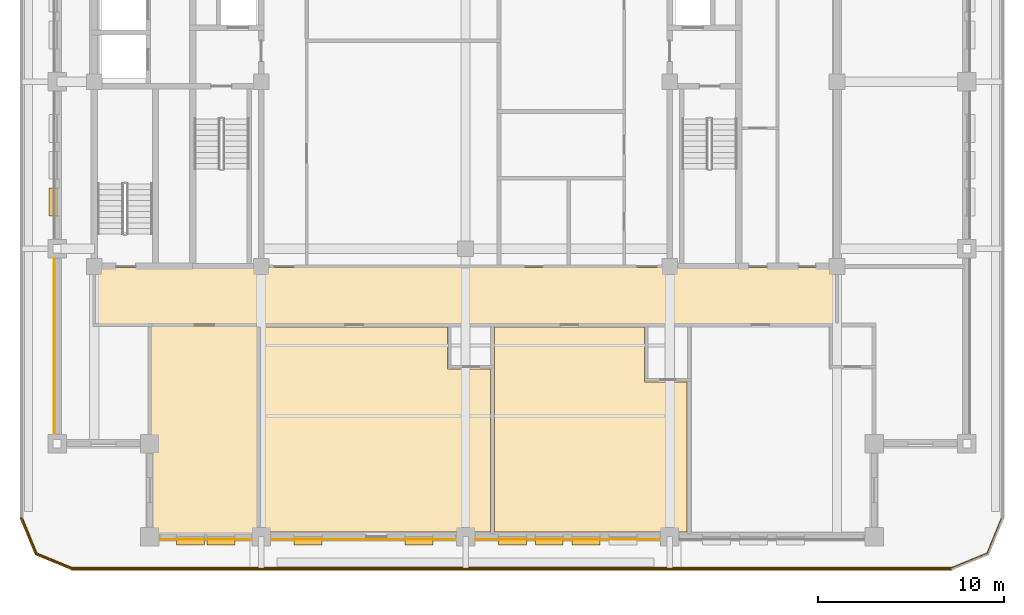
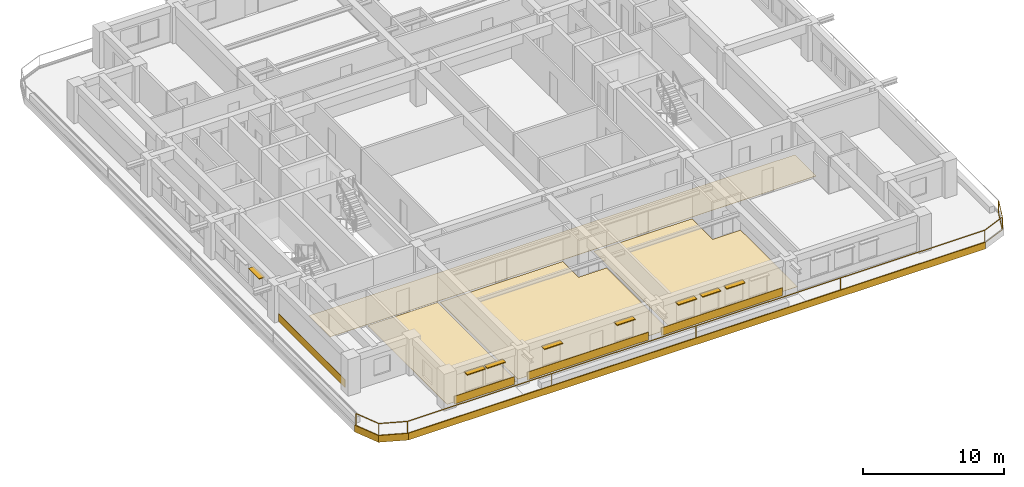
# One storey, part 8 of 14: 11 coverings, 8 shading devices, 1 railing.
"""IFC4 building model written with IfcOpenShell, lengths in metres."""

import ifcopenshell
import ifcopenshell.guid

model = None  # the IFC model being written
_history = None  # IfcOwnerHistory: only IFC2X3 demands one
_inside = {}  # id of a spatial element -> (the spatial element, [elements in it])
_under = {}  # id of a project, library or spatial element -> (it, [spatial elements below it])
_declared = {}  # id of a project -> (the project, [libraries it declares])
_typed = {}  # id of a type object -> (the type object, [elements of that type])
_made_of = {}  # id of a material, layer set ... -> (it, [elements and type objects made of it])


def new_model(schema):
    """Start an empty IFC model of exactly this schema.

    Asked for "IFC4X3", IfcOpenShell would pick the latest addendum, in which some entities
    have other attributes; the version numbers below select the first issue.
    IFC2X3 requires an IfcOwnerHistory on every rooted entity: one is made here for all.
    """
    global model, _history
    if schema == "IFC4X3":
        model = ifcopenshell.file(schema_version=(4, 3, 0, 0))
    else:
        model = ifcopenshell.file(schema=schema)
    _inside.clear()
    _under.clear()
    _declared.clear()
    _typed.clear()
    _made_of.clear()
    _history = None
    if model.schema == "IFC2X3":
        org = make("IfcOrganization", Name="unknown")
        user = make(
            "IfcPersonAndOrganization",
            ThePerson=make("IfcPerson", FamilyName="unknown"),
            TheOrganization=org,
        )
        app = make(
            "IfcApplication",
            ApplicationDeveloper=org,
            Version="unknown",
            ApplicationFullName="unknown",
            ApplicationIdentifier="unknown",
        )
        _history = make(
            "IfcOwnerHistory",
            OwningUser=user,
            OwningApplication=app,
            ChangeAction="ADDED",
            CreationDate=0,
        )
    return model


def make(cls, **values):
    """One entity of the class cls with the attributes given. An attribute that is None is left unset."""
    return model.create_entity(
        cls, **{name: value for name, value in values.items() if value is not None}
    )


def rooted(cls, **values):
    """An entity with a GlobalId (a new one), such as an element, a storey or a relation."""
    return make(cls, GlobalId=ifcopenshell.guid.new(), OwnerHistory=_history, **values)


def si_unit(unit_type, name, prefix=None):
    """IfcSIUnit, for example si_unit("LENGTHUNIT", "METRE", prefix="MILLI")."""
    return make("IfcSIUnit", UnitType=unit_type, Prefix=prefix, Name=name)


def assignment(units):
    """IfcUnitAssignment: the units of a project."""
    return None if units is None else make("IfcUnitAssignment", Units=units)


def point(xyz):
    """IfcCartesianPoint."""
    return None if xyz is None else make("IfcCartesianPoint", Coordinates=xyz)


def direction(xyz):
    """IfcDirection."""
    return None if xyz is None else make("IfcDirection", DirectionRatios=xyz)


def frame(location, z_axis=None, x_axis=None):
    """IfcAxis2Placement3D, a coordinate frame: its origin and axes. An axis left out is left unset."""
    return make(
        "IfcAxis2Placement3D",
        Location=point(location),
        Axis=direction(z_axis),
        RefDirection=direction(x_axis),
    )


def frame_2d(location, x_axis=None):
    """IfcAxis2Placement2D, a coordinate frame in the plane: its origin and x axis."""
    return make(
        "IfcAxis2Placement2D", Location=point(location), RefDirection=direction(x_axis)
    )


def origin():
    """The frame at (0, 0, 0) with its axes left unset."""
    return frame((0.0, 0.0, 0.0))


def origin_2d():
    """The frame at (0, 0) in the plane with its x axis left unset."""
    return frame_2d((0.0, 0.0))


def place(relative_to, where):
    """IfcLocalPlacement: puts the frame where relative to a parent placement (None: the world)."""
    return make(
        "IfcLocalPlacement", PlacementRelTo=relative_to, RelativePlacement=where
    )


def context(
    kind, dimensions, precision=None, world=None, true_north=None, identifier=None
):
    """IfcGeometricRepresentationContext, for example the 3D "Model" context."""
    return make(
        "IfcGeometricRepresentationContext",
        ContextIdentifier=identifier,
        ContextType=kind,
        CoordinateSpaceDimension=dimensions,
        Precision=precision,
        WorldCoordinateSystem=world,
        TrueNorth=true_north,
    )


def subcontext(parent, identifier, kind, view, scale=None):
    """IfcGeometricRepresentationSubContext, for example "Body" below "Model"."""
    return make(
        "IfcGeometricRepresentationSubContext",
        ContextIdentifier=identifier,
        ContextType=kind,
        ParentContext=parent,
        TargetScale=scale,
        TargetView=view,
    )


def project(units=None, contexts=None):
    """IfcProject with its units and contexts."""
    return rooted(
        "IfcProject",
        Name="project",
        RepresentationContexts=contexts,
        UnitsInContext=assignment(units),
    )


def spatial(cls, under=None, at=None, **own):
    """A site, building, storey or space (cls), placed at a placement, below another one or the project."""
    s = rooted(cls, ObjectPlacement=at, **own)
    if under is not None:
        _under.setdefault(under.id(), (under, []))[1].append(s)
    return s


def polyline(points):
    """IfcPolyline through the points."""
    return make("IfcPolyline", Points=[point(p) for p in points])


def profile(cls, at=None, kind="AREA", **sizes):
    """A parametric profile (cls). Its sizes go by their IFC names, for example OverallWidth=200.0."""
    return make(cls, ProfileType=kind, Position=at, **sizes)


def rectangle(**sizes):
    """IfcRectangleProfileDef."""
    return profile("IfcRectangleProfileDef", **sizes)


def outline(outer, holes=None, kind="AREA"):
    """IfcArbitraryClosedProfileDef: a profile drawn as a closed curve; with holes, ...WithVoids."""
    if holes is None:
        return make("IfcArbitraryClosedProfileDef", ProfileType=kind, OuterCurve=outer)
    return make(
        "IfcArbitraryProfileDefWithVoids",
        ProfileType=kind,
        OuterCurve=outer,
        InnerCurves=holes,
    )


def extrude(swept, where, along, depth):
    """IfcExtrudedAreaSolid: the profile swept, set in the frame where, extruded along a direction by depth."""
    return make(
        "IfcExtrudedAreaSolid",
        SweptArea=swept,
        Position=where,
        ExtrudedDirection=direction(along),
        Depth=depth,
    )


def shape(context_of_items, identifier, shape_type, items):
    """IfcShapeRepresentation: the items that make up one representation, for example the "Body"."""
    return make(
        "IfcShapeRepresentation",
        ContextOfItems=context_of_items,
        RepresentationIdentifier=identifier,
        RepresentationType=shape_type,
        Items=items,
    )


def material(Name=None, Category=None):
    """IfcMaterial."""
    return make("IfcMaterial", Name=Name, Category=Category)


def layer(
    of_material, thickness, ventilated=None, Name=None, Category=None, Priority=None
):
    """IfcMaterialLayer: one layer of a wall or slab, of a material (None: an air gap)."""
    return make(
        "IfcMaterialLayer",
        Material=of_material,
        LayerThickness=thickness,
        IsVentilated=ventilated,
        Name=Name,
        Category=Category,
        Priority=Priority,
    )


def layer_set(layers, Name=None):
    """IfcMaterialLayerSet."""
    return make("IfcMaterialLayerSet", MaterialLayers=layers, LayerSetName=Name)


def made_of(thing, what):
    """Note that an element or type object is made of a material, layer set ...; save() writes the relation."""
    if what is not None:
        _made_of.setdefault(what.id(), (what, []))[1].append(thing)
    return thing


def type_object(cls, material=None, **own):
    """A type object (cls), such as IfcWallType, which elements share."""
    return made_of(rooted(cls, **own), material)


def element(
    cls,
    number,
    at=None,
    inside=None,
    cuts=None,
    type_object=None,
    material=None,
    context=None,
    identifier="Body",
    shape_type=None,
    held_by="IfcProductDefinitionShape",
    body=None,
    shapes=None,
    **own,
):
    """One element of the class cls, such as IfcWall. Its Tag is "e" and its number.

    at: its placement. inside: the storey or other place that contains it. cuts: it is an
    opening in that element (IfcRelVoidsElement). A single representation is given by context,
    identifier, shape_type and body (its items); several are given by shapes. held_by: the class
    of the entity that holds the representations. save() writes the other relations.
    """
    e = rooted(cls, Tag="e%d" % number, ObjectPlacement=at, **own)
    if body is not None:
        shapes = [shape(context, identifier, shape_type, body)]
    if shapes is not None:
        e.Representation = make(held_by, Representations=shapes)
    if inside is not None:
        _inside.setdefault(inside.id(), (inside, []))[1].append(e)
    if cuts is not None:
        rooted(
            "IfcRelVoidsElement", RelatingBuildingElement=cuts, RelatedOpeningElement=e
        )
    if type_object is not None:
        _typed.setdefault(type_object.id(), (type_object, []))[1].append(e)
    return made_of(e, material)


def aggregate(whole, parts):
    """IfcRelAggregates: a whole, such as a stair, and the parts it consists of."""
    return rooted("IfcRelAggregates", RelatingObject=whole, RelatedObjects=parts)


def save(model, path):
    """Write the relations noted so far, then the file.

    IfcRelAggregates (storeys below a building ...), IfcRelContainedInSpatialStructure (elements
    in a storey), IfcRelDefinesByType, IfcRelAssociatesMaterial and IfcRelDeclares: one each for
    every whole, place, type object, material and project.
    """
    for whole, parts in _under.values():
        aggregate(whole, parts)
    for where, things in _inside.values():
        rooted(
            "IfcRelContainedInSpatialStructure",
            RelatedElements=things,
            RelatingStructure=where,
        )
    for kind, things in _typed.values():
        rooted("IfcRelDefinesByType", RelatedObjects=things, RelatingType=kind)
    for what, things in _made_of.values():
        rooted("IfcRelAssociatesMaterial", RelatedObjects=things, RelatingMaterial=what)
    for by, libraries in _declared.values():
        rooted("IfcRelDeclares", RelatingContext=by, RelatedDefinitions=libraries)
    model.write(path)


model = new_model("IFC4")

# Units and contexts
model_context = context("Model", 3, precision=1e-05, world=origin(), true_north=direction((0.0, 1.0)))
body_context = subcontext(model_context, "Body", "Model", "MODEL_VIEW")
ifc_project = project(units=[si_unit("LENGTHUNIT", "METRE"), si_unit("AREAUNIT", "SQUARE_METRE"), si_unit("VOLUMEUNIT", "CUBIC_METRE"), si_unit("PLANEANGLEUNIT", "RADIAN"), si_unit("MASSUNIT", "GRAM", prefix="KILO")], contexts=[model_context])

# Site, building, storey
site_placement = place(None, origin())
site = spatial("IfcSite", under=ifc_project, at=site_placement, CompositionType="ELEMENT")
building_placement = place(site_placement, origin())
building = spatial("IfcBuilding", under=site, at=building_placement, Name="Zulmaris Gate Convention Tower", CompositionType="ELEMENT")
storey_placement = place(building_placement, frame((0.0, 0.0, 162.659912109375)))
storey = spatial("IfcBuildingStorey", under=building, at=storey_placement, Name="L41", CompositionType="ELEMENT", Elevation=162.659912109375)

# Coverings
ifc_material_1 = material(Name="Precast concrete C40/50", Category="concrete")
ifc_layer_1 = layer(ifc_material_1, 0.0400390625, Name="Precast concrete C40/50")
ifc_layer_set_1 = layer_set([ifc_layer_1], Name="Precast concrete C40/50")
covering_type_1 = type_object("IfcCoveringType", Name="CLAD-SPANDREL-PRECAST", PredefinedType="CLADDING", material=ifc_layer_set_1)
covering_1_placement = place(storey_placement, frame((-16.469970703125, -24.64990234375, 0.0), z_axis=(0.0, 0.0, 1.0), x_axis=(1.0, 0.0, 0.0)))
element("IfcCovering", 1, at=covering_1_placement, inside=storey, type_object=covering_type_1, Name="CLD-L41-S-0_0", PredefinedType="CLADDING", context=body_context, shape_type="SweptSolid", body=[
    extrude(rectangle(XDim=4.93994140625, YDim=0.0400390625, at=frame_2d((2.469970703125, 0.0))), origin(), (0.0, 0.0, 1.0), 0.679931640625),
])
for number, where, z_axis, x_axis, name in (
    (2, (-10.469970703125, -24.64990234375, 0.0), (0.0, 0.0, 1.0), (1.0, 0.0, 0.0), "CLD-L41-S-1_0"),
    (3, (0.530029296875, -24.64990234375, 0.0), (0.0, 0.0, 1.0), (1.0, 0.0, 0.0), "CLD-L41-S-2_0"),
):
    element("IfcCovering", number, at=place(storey_placement, frame(where, z_axis=z_axis, x_axis=x_axis)), inside=storey, type_object=covering_type_1, Name=name, PredefinedType="CLADDING", context=body_context, shape_type="SweptSolid", body=[
        extrude(rectangle(XDim=9.93994140625, YDim=0.0400390625, at=frame_2d((4.969970703125, 0.0))), origin(), (0.0, 0.0, 1.0), 0.679931640625),
    ])
covering_2_placement = place(storey_placement, frame((-22.14990234375, -9.530029296875, 0.0), z_axis=(0.0, 0.0, 1.0), x_axis=(0.0, -1.0, 0.0)))
element("IfcCovering", 4, at=covering_2_placement, inside=storey, type_object=covering_type_1, Name="CLD-L41-W-0_0", PredefinedType="CLADDING", context=body_context, shape_type="SweptSolid", body=[
    extrude(rectangle(XDim=9.43994140625, YDim=0.0400390625, at=frame_2d((4.719970703125, 0.0))), origin(), (0.0, 0.0, 1.0), 0.679931640625),
])
ifc_material_2 = material(Name="White Glazed Architectural Precast Concrete C40/50", Category="concrete")
ifc_layer_2 = layer(ifc_material_2, 0.080078125, Name="White Glazed Architectural Precast Concrete C40/50")
ifc_layer_set_2 = layer_set([ifc_layer_2], Name="White Glazed Architectural Precast Concrete C40/50")
covering_type_2 = type_object("IfcCoveringType", Name="CLAD-TRAY-FASCIA", PredefinedType="CLADDING", material=ifc_layer_set_2)
covering_3_placement = place(storey_placement, frame((-23.962890625, -23.484619140625, -0.465087890625), z_axis=(0.0, 0.0, 1.0), x_axis=(0.382656984709, -0.923890487046, 0.0)))
element("IfcCovering", 5, at=covering_3_placement, inside=storey, type_object=covering_type_2, Name="FSC-L41-TR-00", PredefinedType="CLADDING", context=body_context, shape_type="SweptSolid", body=[
    extrude(rectangle(XDim=2.14306640625, YDim=0.080078125, at=frame_2d((1.071533203125, 0.0))), origin(), (0.0, 0.0, 1.0), 0.5849609375),
])
covering_4_placement = place(storey_placement, frame((-23.16455078125, -25.44287109375, -0.465087890625), z_axis=(0.0, 0.0, 1.0), x_axis=(0.923873803533, -0.382697263049, 0.0)))
element("IfcCovering", 6, at=covering_4_placement, inside=storey, type_object=covering_type_2, Name="FSC-L41-TR-01", PredefinedType="CLADDING", context=body_context, shape_type="SweptSolid", body=[
    extrude(rectangle(XDim=2.142822265625, YDim=0.080078125, at=frame_2d((1.0712890625, 0.0))), origin(), (0.0, 0.0, 1.0), 0.5849609375),
])
covering_5_placement = place(storey_placement, frame((-21.199951171875, -26.260009765625, -0.465087890625), z_axis=(0.0, 0.0, 1.0), x_axis=(1.0, 0.0, 0.0)))
element("IfcCovering", 7, at=covering_5_placement, inside=storey, type_object=covering_type_2, Name="FSC-L41-TR-02", PredefinedType="CLADDING", context=body_context, shape_type="SweptSolid", body=[
    extrude(rectangle(XDim=47.39990234375, YDim=0.080078125, at=frame_2d((23.699951171875, 0.0))), origin(), (0.0, 0.0, 1.0), 0.5849609375),
])
ifc_material_3 = material(Name="Woven Acoustic Wool Carpet Tile")
ifc_layer_3 = layer(ifc_material_3, 0.02001953125, Name="Woven Acoustic Wool Carpet Tile")
ifc_layer_set_3 = layer_set([ifc_layer_3], Name="Woven Acoustic Wool Carpet Tile")
covering_type_3 = type_object("IfcCoveringType", Name="FLR-CARPET-12", PredefinedType="FLOORING", material=ifc_layer_set_3)
covering_6_placement = place(storey_placement, origin())
element("IfcCovering", 8, at=covering_6_placement, inside=storey, type_object=covering_type_3, Name="FLR-L41-R33", PredefinedType="FLOORING", context=body_context, shape_type="SweptSolid", body=[
    extrude(outline(polyline([(-19.93994140625, -13.0400390625), (19.93994140625, -13.0400390625), (19.93994140625, -10.010009765625), (-19.93994140625, -10.010009765625), (-19.93994140625, -13.0400390625)])), origin(), (0.0, 0.0, 1.0), 0.02001953125),
])
ifc_material_4 = material(Name="Polished Granite Terrazzo Tile", Category="masonry")
ifc_layer_4 = layer(ifc_material_4, 0.02001953125, Name="Polished Granite Terrazzo Tile")
ifc_layer_set_4 = layer_set([ifc_layer_4], Name="Polished Granite Terrazzo Tile")
covering_type_4 = type_object("IfcCoveringType", Name="FLR-TERRAZZO-30", PredefinedType="FLOORING", material=ifc_layer_set_4)
covering_7_placement = place(storey_placement, origin())
element("IfcCovering", 9, at=covering_7_placement, inside=storey, type_object=covering_type_4, Name="FLR-L41-R44", PredefinedType="FLOORING", context=body_context, shape_type="SweptSolid", body=[
    extrude(outline(polyline([(-16.93994140625, -24.43994140625), (-11.2099609375, -24.43994140625), (-11.2099609375, -13.159912109375), (-16.93994140625, -13.159912109375), (-16.93994140625, -24.43994140625)])), origin(), (0.0, 0.0, 1.0), 0.02001953125),
])
ifc_material_5 = material(Name="Engineered Teak Parquet Flooring")
ifc_layer_5 = layer(ifc_material_5, 0.02001953125, Name="Engineered Teak Parquet Flooring")
ifc_layer_set_5 = layer_set([ifc_layer_5], Name="Engineered Teak Parquet Flooring")
covering_type_5 = type_object("IfcCoveringType", Name="FLR-TIMBER-18", PredefinedType="FLOORING", material=ifc_layer_set_5)
covering_8_placement = place(storey_placement, origin())
element("IfcCovering", 10, at=covering_8_placement, inside=storey, type_object=covering_type_5, Name="FLR-L41-R46", PredefinedType="FLOORING", context=body_context, shape_type="SweptSolid", body=[
    extrude(outline(polyline([(-11.030029296875, -24.260009765625), (1.330078125, -24.260009765625), (1.330078125, -15.469970703125), (-0.969970703125, -15.469970703125), (-0.969970703125, -13.219970703125), (-11.030029296875, -13.219970703125), (-11.030029296875, -24.260009765625)])), origin(), (0.0, 0.0, 1.0), 0.02001953125),
])
covering_9_placement = place(storey_placement, origin())
element("IfcCovering", 11, at=covering_9_placement, inside=storey, type_object=covering_type_5, Name="FLR-L41-R48", PredefinedType="FLOORING", context=body_context, shape_type="SweptSolid", body=[
    extrude(outline(polyline([(1.570068359375, -24.260009765625), (11.929931640625, -24.260009765625), (11.929931640625, -16.169921875), (9.6298828125, -16.169921875), (9.6298828125, -13.219970703125), (1.570068359375, -13.219970703125), (1.570068359375, -24.260009765625)])), origin(), (0.0, 0.0, 1.0), 0.02001953125),
])

# Railing
ifc_material_6 = material(Name="Laminated Glass and Stainless Steel", Category="steel")
railing_type = type_object("IfcRailingType", Name="RL-BALC-1150", PredefinedType="BALUSTRADE", material=ifc_material_6)
railing_placement = place(storey_placement, frame((-23.8798828125, -23.5, -0.0400390625)))
element("IfcRailing", 12, at=railing_placement, inside=storey, type_object=railing_type, Name="RL-L41-BALC-S", PredefinedType="BALUSTRADE", context=body_context, shape_type="SweptSolid", body=[
    extrude(rectangle(XDim=0.048095703125, YDim=0.048095703125, at=origin_2d()), frame((0.0, 0.0, 1.1259765625), z_axis=(0.382670664694, -0.92388482095, 0.0), x_axis=(0.92388482095, 0.382670664694, 0.0)), (0.0, 0.0, 1.0), 2.051025390625),
    extrude(rectangle(XDim=0.048095703125, YDim=0.048095703125, at=origin_2d()), frame((0.0, 0.0, 0.02392578125), z_axis=(0.382670664694, -0.92388482095, 0.0), x_axis=(0.92388482095, 0.382670664694, 0.0)), (0.0, 0.0, 1.0), 2.051025390625),
    extrude(rectangle(XDim=0.048095703125, YDim=0.048095703125, at=origin_2d()), frame((0.784912109375, -1.89501953125, 1.1259765625), z_axis=(0.92388482095, -0.382670664694, 0.0), x_axis=(0.382670664694, 0.92388482095, 0.0)), (0.0, 0.0, 1.0), 2.051025390625),
    extrude(rectangle(XDim=0.048095703125, YDim=0.048095703125, at=origin_2d()), frame((0.784912109375, -1.89501953125, 0.02392578125), z_axis=(0.92388482095, -0.382670664694, 0.0), x_axis=(0.382670664694, 0.92388482095, 0.0)), (0.0, 0.0, 1.0), 2.051025390625),
    extrude(rectangle(XDim=0.048095703125, YDim=0.048095703125, at=origin_2d()), frame((2.679931640625, -2.679931640625, 1.1259765625), z_axis=(1.0, 0.0, 0.0), x_axis=(0.0, 1.0, 0.0)), (0.0, 0.0, 1.0), 47.39990234375),
    extrude(rectangle(XDim=0.048095703125, YDim=0.048095703125, at=origin_2d()), frame((2.679931640625, -2.679931640625, 0.02392578125), z_axis=(1.0, 0.0, 0.0), x_axis=(0.0, 1.0, 0.0)), (0.0, 0.0, 1.0), 47.39990234375),
    extrude(rectangle(XDim=0.048095703125, YDim=0.048095703125, at=origin_2d()), frame((50.079833984375, -2.679931640625, 1.1259765625), z_axis=(0.92388482095, 0.382670664694, 0.0), x_axis=(-0.382670664694, 0.92388482095, 0.0)), (0.0, 0.0, 1.0), 2.051025390625),
    extrude(rectangle(XDim=0.048095703125, YDim=0.048095703125, at=origin_2d()), frame((50.079833984375, -2.679931640625, 0.02392578125), z_axis=(0.92388482095, 0.382670664694, 0.0), x_axis=(-0.382670664694, 0.92388482095, 0.0)), (0.0, 0.0, 1.0), 2.051025390625),
    extrude(rectangle(XDim=0.048095703125, YDim=0.048095703125, at=origin_2d()), frame((51.974853515625, -1.89501953125, 1.1259765625), z_axis=(0.382670664694, 0.92388482095, 0.0), x_axis=(-0.92388482095, 0.382670664694, 0.0)), (0.0, 0.0, 1.0), 2.051025390625),
    extrude(rectangle(XDim=0.048095703125, YDim=0.048095703125, at=origin_2d()), frame((51.974853515625, -1.89501953125, 0.02392578125), z_axis=(0.382670664694, 0.92388482095, 0.0), x_axis=(-0.92388482095, 0.382670664694, 0.0)), (0.0, 0.0, 1.0), 2.051025390625),
    extrude(rectangle(XDim=0.0419921875, YDim=0.0419921875, at=origin_2d()), origin(), (0.0, 0.0, 1.0), 1.101806640625),
    extrude(rectangle(XDim=0.0419921875, YDim=0.0419921875, at=origin_2d()), frame((0.784912109375, -1.89501953125, 0.0)), (0.0, 0.0, 1.0), 1.101806640625),
    extrude(rectangle(XDim=0.0419921875, YDim=0.0419921875, at=origin_2d()), frame((2.679931640625, -2.679931640625, 0.0)), (0.0, 0.0, 1.0), 1.101806640625),
    extrude(rectangle(XDim=0.0419921875, YDim=0.0419921875, at=origin_2d()), frame((14.52978515625, -2.679931640625, 0.0)), (0.0, 0.0, 1.0), 1.101806640625),
    extrude(rectangle(XDim=0.0419921875, YDim=0.0419921875, at=origin_2d()), frame((26.3798828125, -2.679931640625, 0.0)), (0.0, 0.0, 1.0), 1.101806640625),
    extrude(rectangle(XDim=0.0419921875, YDim=0.0419921875, at=origin_2d()), frame((38.22998046875, -2.679931640625, 0.0)), (0.0, 0.0, 1.0), 1.101806640625),
    extrude(rectangle(XDim=0.0419921875, YDim=0.0419921875, at=origin_2d()), frame((50.079833984375, -2.679931640625, 0.0)), (0.0, 0.0, 1.0), 1.101806640625),
    extrude(rectangle(XDim=0.0419921875, YDim=0.0419921875, at=origin_2d()), frame((51.974853515625, -1.89501953125, 0.0)), (0.0, 0.0, 1.0), 1.101806640625),
    extrude(rectangle(XDim=0.0419921875, YDim=0.0419921875, at=origin_2d()), frame((52.759765625, 0.0, 0.0)), (0.0, 0.0, 1.0), 1.101806640625),
])

# Shading devices
ifc_material_7 = material(Name="Glazed Ceramic Terracotta", Category="masonry")
ifc_layer_6 = layer(ifc_material_7, 0.070068359375, Name="Glazed Ceramic Terracotta")
ifc_layer_set_6 = layer_set([ifc_layer_6], Name="Glazed Ceramic Terracotta")
shading_device_type = type_object("IfcShadingDeviceType", Name="SHD-SUNSHADE-TC", PredefinedType="AWNING", material=ifc_layer_set_6)
for number, where, z_axis, x_axis, name in (
    (13, (-15.572998046875, -24.719970703125, 2.35009765625), (0.0, 0.0, 1.0), (1.0, 0.0, 0.0), "SHD-EW-L41-S-0_0-1"),
    (14, (-13.927001953125, -24.719970703125, 2.35009765625), (0.0, 0.0, 1.0), (1.0, 0.0, 0.0), "SHD-EW-L41-S-0_0-2"),
    (15, (-9.23193359375, -24.719970703125, 2.35009765625), (0.0, 0.0, 1.0), (1.0, 0.0, 0.0), "SHD-EW-L41-S-1_0-1"),
    (16, (-3.26806640625, -24.719970703125, 2.35009765625), (0.0, 0.0, 1.0), (1.0, 0.0, 0.0), "SHD-EW-L41-S-1_0-4"),
    (17, (1.76806640625, -24.719970703125, 2.35009765625), (0.0, 0.0, 1.0), (1.0, 0.0, 0.0), "SHD-EW-L41-S-2_0-1"),
    (18, (3.756103515625, -24.719970703125, 2.35009765625), (0.0, 0.0, 1.0), (1.0, 0.0, 0.0), "SHD-EW-L41-S-2_0-2"),
    (19, (5.743896484375, -24.719970703125, 2.35009765625), (0.0, 0.0, 1.0), (1.0, 0.0, 0.0), "SHD-EW-L41-S-2_0-3"),
    (20, (-22.219970703125, -5.735107421875, 2.35009765625), (0.0, 0.0, 1.0), (0.0, -1.0, 0.0), "SHD-EW-L41-W-1_0-3"),
):
    element("IfcShadingDevice", number, at=place(storey_placement, frame(where, z_axis=z_axis, x_axis=x_axis)), inside=storey, type_object=shading_device_type, Name=name, PredefinedType="AWNING", context=body_context, shape_type="SweptSolid", body=[
        extrude(rectangle(XDim=1.5, YDim=0.43994140625, at=frame_2d((0.75, 0.0))), origin(), (0.0, 0.0, 1.0), 0.06982421875),
    ])

save(model, "model.ifc")
